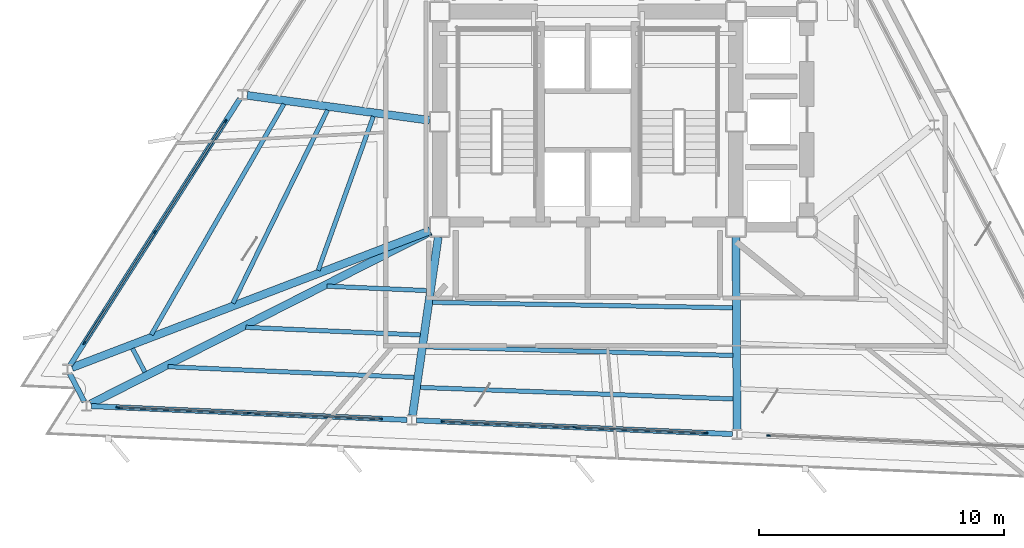
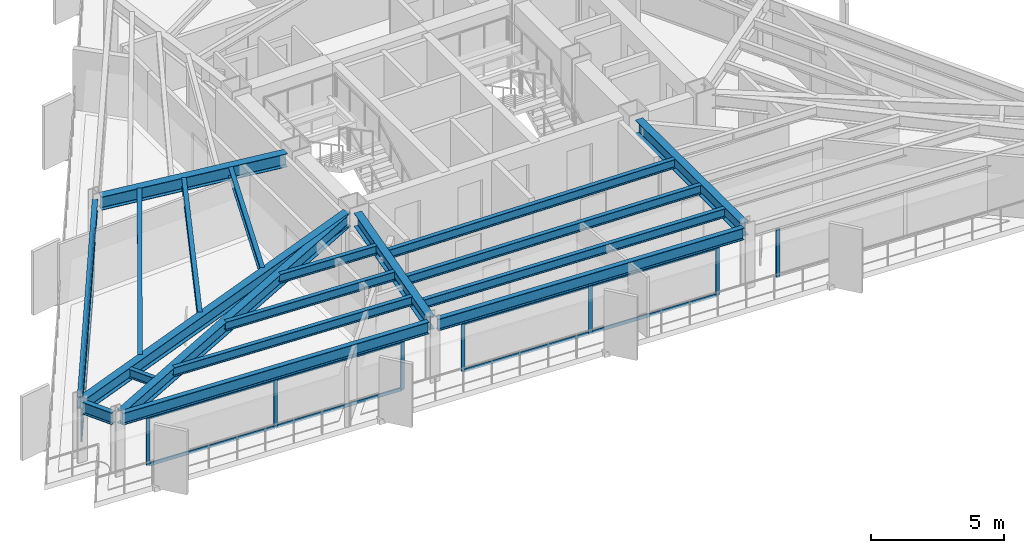
# One storey, part 2 of 12: 22 members, 19 beams, 4 elements without a shape of their own.
"""IFC4 building model written with IfcOpenShell, lengths in metres."""

from ifc_helpers import new_model, si_unit, direction, frame, origin, origin_2d, place, context, subcontext, project, spatial, rectangle, i_section, extrude, material, layer, layer_set, material_profile, profile_set, type_object, element, aggregate, save


model = new_model("IFC4")

# Units and contexts
model_context = context("Model", 3, precision=1e-05, world=origin(), true_north=direction((0.0, 1.0)))
body_context = subcontext(model_context, "Body", "Model", "MODEL_VIEW")
ifc_project = project(units=[si_unit("LENGTHUNIT", "METRE"), si_unit("AREAUNIT", "SQUARE_METRE"), si_unit("VOLUMEUNIT", "CUBIC_METRE"), si_unit("PLANEANGLEUNIT", "RADIAN"), si_unit("MASSUNIT", "GRAM", prefix="KILO")], contexts=[model_context])

# Site, building, storey
site_placement = place(None, origin())
site = spatial("IfcSite", under=ifc_project, at=site_placement, CompositionType="ELEMENT")
building_placement = place(site_placement, origin())
building = spatial("IfcBuilding", under=site, at=building_placement, Name="Rocaltana Carrier Exchange", CompositionType="ELEMENT")
storey_placement = place(building_placement, frame((0.0, 0.0, 132.0)))
storey = spatial("IfcBuildingStorey", under=building, at=storey_placement, Name="L41", CompositionType="ELEMENT", Elevation=132.0)

# Curtain wall, members
ifc_material_1 = material(Name="Aluminium 6063-T6", Category="aluminium")
ifc_layer = layer(ifc_material_1, 0.14990234375)
ifc_layer_set = layer_set([ifc_layer], Name="Aluminium 6063-T6")
curtain_wall_type = type_object("IfcCurtainWallType", Name="Mid-Tower Unitised Curtain Wall CW-03", PredefinedType="NOTDEFINED", material=ifc_layer_set)
curtain_wall_1_placement = place(storey_placement, origin())
curtain_wall_1 = element("IfcCurtainWall", 1, at=curtain_wall_1_placement, inside=storey, type_object=curtain_wall_type, Name="L41 CW-03 Run CW-L41-F2S3", PredefinedType="NOTDEFINED")
ifc_material_2 = material(Name="Aluminium 6063-T6", Category="aluminium")
ifc_material_profile_1 = material_profile(ifc_material_2, rectangle(XDim=0.06005859375, YDim=0.14990234375, at=origin_2d()), Name="AL-60X150")
ifc_profile_set_1 = profile_set([ifc_material_profile_1], Name="Aluminium 6063-T6")
member_type_1 = type_object("IfcMemberType", Name="CW-03 Mullion AL-60X150", PredefinedType="MULLION", material=ifc_profile_set_1)
member_1_placement = place(storey_placement, frame((-14.79541015625, 0.023193359375, 0.0), z_axis=(0.0, 0.0, 1.0), x_axis=(0.843390685726, -0.537300801443, 0.0)))
member_1 = element("IfcMember", 2, at=member_1_placement, type_object=member_type_1, Name="CW-03 mullion 1", PredefinedType="MULLION", context=body_context, shape_type="SweptSolid", body=[
    extrude(rectangle(XDim=0.06005859375, YDim=0.14990234375, at=origin_2d()), origin(), (0.0, 0.0, 1.0), 2.218017578125),
])
member_2_placement = place(storey_placement, frame((-17.680908203125, -4.505859375, 0.0), z_axis=(0.0, 0.0, 1.0), x_axis=(0.843390685726, -0.537300801443, 0.0)))
member_2 = element("IfcMember", 3, at=member_2_placement, type_object=member_type_1, Name="CW-03 mullion 2", PredefinedType="MULLION", context=body_context, shape_type="SweptSolid", body=[
    extrude(rectangle(XDim=0.06005859375, YDim=0.14990234375, at=origin_2d()), origin(), (0.0, 0.0, 1.0), 2.218017578125),
])
member_3_placement = place(storey_placement, frame((-20.566162109375, -9.034912109375, 0.0), z_axis=(0.0, 0.0, 1.0), x_axis=(0.843390685726, -0.537300801443, 0.0)))
member_3 = element("IfcMember", 4, at=member_3_placement, type_object=member_type_1, Name="CW-03 mullion 3", PredefinedType="MULLION", context=body_context, shape_type="SweptSolid", body=[
    extrude(rectangle(XDim=0.06005859375, YDim=0.14990234375, at=origin_2d()), origin(), (0.0, 0.0, 1.0), 2.218017578125),
])

curtain_wall_2_placement = place(storey_placement, origin())
curtain_wall_2 = element("IfcCurtainWall", 5, at=curtain_wall_2_placement, inside=storey, type_object=curtain_wall_type, Name="L41 CW-03 Run CW-L41-F3S1", PredefinedType="NOTDEFINED")
member_4_placement = place(storey_placement, frame((-19.197021484375, -11.66455078125, 0.0), z_axis=(0.0, 0.0, 1.0), x_axis=(0.043629290456, 0.999047789154, 0.0)))
member_4 = element("IfcMember", 6, at=member_4_placement, type_object=member_type_1, Name="CW-03 mullion 1", PredefinedType="MULLION", context=body_context, shape_type="SweptSolid", body=[
    extrude(rectangle(XDim=0.06005859375, YDim=0.14990234375, at=origin_2d()), origin(), (0.0, 0.0, 1.0), 2.218017578125),
])
member_5_placement = place(storey_placement, frame((-13.832275390625, -11.89892578125, 0.0), z_axis=(0.0, 0.0, 1.0), x_axis=(0.043629290456, 0.999047789154, 0.0)))
member_5 = element("IfcMember", 7, at=member_5_placement, type_object=member_type_1, Name="CW-03 mullion 2", PredefinedType="MULLION", context=body_context, shape_type="SweptSolid", body=[
    extrude(rectangle(XDim=0.06005859375, YDim=0.14990234375, at=origin_2d()), origin(), (0.0, 0.0, 1.0), 2.218017578125),
])
member_6_placement = place(storey_placement, frame((-8.46728515625, -12.13330078125, 0.0), z_axis=(0.0, 0.0, 1.0), x_axis=(0.043629290456, 0.999047789154, 0.0)))
member_6 = element("IfcMember", 8, at=member_6_placement, type_object=member_type_1, Name="CW-03 mullion 3", PredefinedType="MULLION", context=body_context, shape_type="SweptSolid", body=[
    extrude(rectangle(XDim=0.06005859375, YDim=0.14990234375, at=origin_2d()), origin(), (0.0, 0.0, 1.0), 2.218017578125),
])

curtain_wall_3_placement = place(storey_placement, origin())
curtain_wall_3 = element("IfcCurtainWall", 9, at=curtain_wall_3_placement, inside=storey, type_object=curtain_wall_type, Name="L41 CW-03 Run CW-L41-F3S2", PredefinedType="NOTDEFINED")
member_7_placement = place(storey_placement, frame((-5.90966796875, -12.244873046875, 0.0), z_axis=(0.0, 0.0, 1.0), x_axis=(0.043620452398, 0.999048175081, 0.0)))
member_7 = element("IfcMember", 10, at=member_7_placement, type_object=member_type_1, Name="CW-03 mullion 1", PredefinedType="MULLION", context=body_context, shape_type="SweptSolid", body=[
    extrude(rectangle(XDim=0.06005859375, YDim=0.14990234375, at=origin_2d()), origin(), (0.0, 0.0, 1.0), 2.218017578125),
])
member_8_placement = place(storey_placement, frame((-0.544921875, -12.47900390625, 0.0), z_axis=(0.0, 0.0, 1.0), x_axis=(0.043620452398, 0.999048175081, 0.0)))
member_8 = element("IfcMember", 11, at=member_8_placement, type_object=member_type_1, Name="CW-03 mullion 2", PredefinedType="MULLION", context=body_context, shape_type="SweptSolid", body=[
    extrude(rectangle(XDim=0.06005859375, YDim=0.14990234375, at=origin_2d()), origin(), (0.0, 0.0, 1.0), 2.218017578125),
])
member_9_placement = place(storey_placement, frame((4.820068359375, -12.71337890625, 0.0), z_axis=(0.0, 0.0, 1.0), x_axis=(0.043620452398, 0.999048175081, 0.0)))
member_9 = element("IfcMember", 12, at=member_9_placement, type_object=member_type_1, Name="CW-03 mullion 3", PredefinedType="MULLION", context=body_context, shape_type="SweptSolid", body=[
    extrude(rectangle(XDim=0.06005859375, YDim=0.14990234375, at=origin_2d()), origin(), (0.0, 0.0, 1.0), 2.218017578125),
])

# Curtain wall, member
curtain_wall_4_placement = place(storey_placement, origin())
curtain_wall_4 = element("IfcCurtainWall", 13, at=curtain_wall_4_placement, inside=storey, type_object=curtain_wall_type, Name="L41 CW-03 Run CW-L41-F3S3", PredefinedType="NOTDEFINED")
member_10_placement = place(storey_placement, frame((7.377685546875, -12.824951171875, 0.0), z_axis=(0.0, 0.0, 1.0), x_axis=(0.043629290456, 0.999047789154, 0.0)))
member_10 = element("IfcMember", 14, at=member_10_placement, type_object=member_type_1, Name="CW-03 mullion 1", PredefinedType="MULLION", context=body_context, shape_type="SweptSolid", body=[
    extrude(rectangle(XDim=0.06005859375, YDim=0.14990234375, at=origin_2d()), origin(), (0.0, 0.0, 1.0), 2.218017578125),
])
aggregate(curtain_wall_4, [member_10])

# Member
ifc_material_3 = material(Name="Aluminium 6063-T6", Category="aluminium")
ifc_material_profile_2 = material_profile(ifc_material_3, rectangle(XDim=0.06005859375, YDim=0.14990234375, at=origin_2d()), Name="AL-60X150")
ifc_profile_set_2 = profile_set([ifc_material_profile_2], Name="Aluminium 6063-T6")
member_type_2 = type_object("IfcMemberType", Name="CW-03 Transom AL-60X150", PredefinedType="USERDEFINED", material=ifc_profile_set_2)
member_11_placement = place(storey_placement, frame((-14.8115234375, -0.001953125, 0.030029296875), z_axis=(-0.537318678484, -0.843379296493, 0.0), x_axis=(0.843379296493, -0.537318678484, 0.0)))
member_11 = element("IfcMember", 15, at=member_11_placement, type_object=member_type_2, Name="CW-03 transom 1.1", ObjectType="TRANSOM", PredefinedType="USERDEFINED", context=body_context, shape_type="SweptSolid", body=[
    extrude(rectangle(XDim=0.06005859375, YDim=0.14990234375, at=origin_2d()), origin(), (0.0, 0.0, 1.0), 5.310302734375),
])

member_12_placement = place(storey_placement, frame((-14.8115234375, -0.001953125, 2.18798828125), z_axis=(-0.537318678484, -0.843379296493, 0.0), x_axis=(0.843379296493, -0.537318678484, 0.0)))
member_12 = element("IfcMember", 16, at=member_12_placement, type_object=member_type_2, Name="CW-03 transom 1.2", ObjectType="TRANSOM", PredefinedType="USERDEFINED", context=body_context, shape_type="SweptSolid", body=[
    extrude(rectangle(XDim=0.06005859375, YDim=0.14990234375, at=origin_2d()), origin(), (0.0, 0.0, 1.0), 5.310302734375),
])

member_13_placement = place(storey_placement, frame((-17.697021484375, -4.531005859375, 0.030029296875), z_axis=(-0.537285975238, -0.843400130906, 0.0), x_axis=(0.843400130906, -0.537285975238, 0.0)))
member_13 = element("IfcMember", 17, at=member_13_placement, type_object=member_type_2, Name="CW-03 transom 2.1", ObjectType="TRANSOM", PredefinedType="USERDEFINED", context=body_context, shape_type="SweptSolid", body=[
    extrude(rectangle(XDim=0.06005859375, YDim=0.14990234375, at=origin_2d()), origin(), (0.0, 0.0, 1.0), 5.31005859375),
])

member_14_placement = place(storey_placement, frame((-17.697021484375, -4.531005859375, 2.18798828125), z_axis=(-0.537285975238, -0.843400130906, 0.0), x_axis=(0.843400130906, -0.537285975238, 0.0)))
member_14 = element("IfcMember", 18, at=member_14_placement, type_object=member_type_2, Name="CW-03 transom 2.2", ObjectType="TRANSOM", PredefinedType="USERDEFINED", context=body_context, shape_type="SweptSolid", body=[
    extrude(rectangle(XDim=0.06005859375, YDim=0.14990234375, at=origin_2d()), origin(), (0.0, 0.0, 1.0), 5.31005859375),
])

aggregate(curtain_wall_1, [member_1, member_2, member_3, member_11, member_12, member_13, member_14])

member_15_placement = place(storey_placement, frame((-19.167236328125, -11.666015625, 0.030029296875), z_axis=(0.999047725225, -0.043630754314, 0.0), x_axis=(0.043630754314, 0.999047725225, 0.0)))
member_15 = element("IfcMember", 19, at=member_15_placement, type_object=member_type_2, Name="CW-03 transom 1.1", ObjectType="TRANSOM", PredefinedType="USERDEFINED", context=body_context, shape_type="SweptSolid", body=[
    extrude(rectangle(XDim=0.06005859375, YDim=0.14990234375, at=origin_2d()), origin(), (0.0, 0.0, 1.0), 5.310302734375),
])

member_16_placement = place(storey_placement, frame((-19.167236328125, -11.666015625, 2.18798828125), z_axis=(0.999047725225, -0.043630754314, 0.0), x_axis=(0.043630754314, 0.999047725225, 0.0)))
member_16 = element("IfcMember", 20, at=member_16_placement, type_object=member_type_2, Name="CW-03 transom 1.2", ObjectType="TRANSOM", PredefinedType="USERDEFINED", context=body_context, shape_type="SweptSolid", body=[
    extrude(rectangle(XDim=0.06005859375, YDim=0.14990234375, at=origin_2d()), origin(), (0.0, 0.0, 1.0), 5.310302734375),
])

member_17_placement = place(storey_placement, frame((-13.80224609375, -11.900146484375, 0.030029296875), z_axis=(0.999047637698, -0.043632758442, 0.0), x_axis=(0.043632758442, 0.999047637698, 0.0)))
member_17 = element("IfcMember", 21, at=member_17_placement, type_object=member_type_2, Name="CW-03 transom 2.1", ObjectType="TRANSOM", PredefinedType="USERDEFINED", context=body_context, shape_type="SweptSolid", body=[
    extrude(rectangle(XDim=0.06005859375, YDim=0.14990234375, at=origin_2d()), origin(), (0.0, 0.0, 1.0), 5.31005859375),
])

member_18_placement = place(storey_placement, frame((-13.80224609375, -11.900146484375, 2.18798828125), z_axis=(0.999047637698, -0.043632758442, 0.0), x_axis=(0.043632758442, 0.999047637698, 0.0)))
member_18 = element("IfcMember", 22, at=member_18_placement, type_object=member_type_2, Name="CW-03 transom 2.2", ObjectType="TRANSOM", PredefinedType="USERDEFINED", context=body_context, shape_type="SweptSolid", body=[
    extrude(rectangle(XDim=0.06005859375, YDim=0.14990234375, at=origin_2d()), origin(), (0.0, 0.0, 1.0), 5.31005859375),
])

aggregate(curtain_wall_2, [member_4, member_5, member_6, member_15, member_16, member_17, member_18])

member_19_placement = place(storey_placement, frame((-5.879638671875, -12.24609375, 0.030029296875), z_axis=(0.999047637698, -0.043632758442, 0.0), x_axis=(0.043632758442, 0.999047637698, 0.0)))
member_19 = element("IfcMember", 23, at=member_19_placement, type_object=member_type_2, Name="CW-03 transom 1.1", ObjectType="TRANSOM", PredefinedType="USERDEFINED", context=body_context, shape_type="SweptSolid", body=[
    extrude(rectangle(XDim=0.06005859375, YDim=0.14990234375, at=origin_2d()), origin(), (0.0, 0.0, 1.0), 5.31005859375),
])

member_20_placement = place(storey_placement, frame((-5.879638671875, -12.24609375, 2.18798828125), z_axis=(0.999047637698, -0.043632758442, 0.0), x_axis=(0.043632758442, 0.999047637698, 0.0)))
member_20 = element("IfcMember", 24, at=member_20_placement, type_object=member_type_2, Name="CW-03 transom 1.2", ObjectType="TRANSOM", PredefinedType="USERDEFINED", context=body_context, shape_type="SweptSolid", body=[
    extrude(rectangle(XDim=0.06005859375, YDim=0.14990234375, at=origin_2d()), origin(), (0.0, 0.0, 1.0), 5.31005859375),
])

member_21_placement = place(storey_placement, frame((-0.514892578125, -12.48046875, 0.030029296875), z_axis=(0.999049640868, -0.04358686822, 0.0), x_axis=(0.04358686822, 0.999049640868, 0.0)))
member_21 = element("IfcMember", 25, at=member_21_placement, type_object=member_type_2, Name="CW-03 transom 2.1", ObjectType="TRANSOM", PredefinedType="USERDEFINED", context=body_context, shape_type="SweptSolid", body=[
    extrude(rectangle(XDim=0.06005859375, YDim=0.14990234375, at=origin_2d()), origin(), (0.0, 0.0, 1.0), 5.31005859375),
])

member_22_placement = place(storey_placement, frame((-0.514892578125, -12.48046875, 2.18798828125), z_axis=(0.999049640868, -0.04358686822, 0.0), x_axis=(0.04358686822, 0.999049640868, 0.0)))
member_22 = element("IfcMember", 26, at=member_22_placement, type_object=member_type_2, Name="CW-03 transom 2.2", ObjectType="TRANSOM", PredefinedType="USERDEFINED", context=body_context, shape_type="SweptSolid", body=[
    extrude(rectangle(XDim=0.06005859375, YDim=0.14990234375, at=origin_2d()), origin(), (0.0, 0.0, 1.0), 5.31005859375),
])

aggregate(curtain_wall_3, [member_7, member_8, member_9, member_19, member_20, member_21, member_22])

# Beams
ifc_material_4 = material(Name="Steel S355", Category="steel")
ifc_material_profile_3 = material_profile(ifc_material_4, i_section(OverallWidth=0.179931640625, OverallDepth=0.4130859375, WebThickness=0.009765625, FlangeThickness=0.01611328125, FilletRadius=0.012939453125, at=origin_2d()), Name="W16X50")
ifc_profile_set_3 = profile_set([ifc_material_profile_3], Name="Steel S355")
beam_type_1 = type_object("IfcBeamType", Name="Floor Joist W16X50", PredefinedType="JOIST", material=ifc_profile_set_3)
beam_1_placement = place(storey_placement, frame((-8.76171875, 0.217041015625, 2.58154296875), z_axis=(-0.33724376494, -0.941417358566, 0.0), x_axis=(0.941417358566, -0.33724376494, 0.0)))
element("IfcBeam", 27, at=beam_1_placement, inside=storey, type_object=beam_type_1, Name="FJ-L41-07-1", PredefinedType="JOIST", context=body_context, shape_type="SweptSolid", body=[
    extrude(i_section(OverallWidth=0.179931640625, OverallDepth=0.4130859375, WebThickness=0.009765625, FlangeThickness=0.01611328125, FilletRadius=0.012939453125, at=origin_2d()), origin(), (0.0, 0.0, 1.0), 6.680419921875),
])
beam_2_placement = place(storey_placement, frame((-10.631103515625, 0.4775390625, 2.58154296875), z_axis=(-0.439708785258, -0.898140403371, 0.0), x_axis=(0.898140403371, -0.439708785258, 0.0)))
element("IfcBeam", 28, at=beam_2_placement, inside=storey, type_object=beam_type_1, Name="FJ-L41-07-2", PredefinedType="JOIST", context=body_context, shape_type="SweptSolid", body=[
    extrude(i_section(OverallWidth=0.179931640625, OverallDepth=0.4130859375, WebThickness=0.009765625, FlangeThickness=0.01611328125, FilletRadius=0.012939453125, at=origin_2d()), origin(), (0.0, 0.0, 1.0), 8.788818359375),
])
beam_3_placement = place(storey_placement, frame((-12.412841796875, 0.724853515625, 2.58154296875), z_axis=(-0.498415428492, -0.866938325742, 0.0), x_axis=(0.866938325742, -0.498415428492, 0.0)))
element("IfcBeam", 29, at=beam_3_placement, inside=storey, type_object=beam_type_1, Name="FJ-L41-07-3", PredefinedType="JOIST", context=body_context, shape_type="SweptSolid", body=[
    extrude(i_section(OverallWidth=0.179931640625, OverallDepth=0.4130859375, WebThickness=0.009765625, FlangeThickness=0.01611328125, FilletRadius=0.012939453125, at=origin_2d()), origin(), (0.0, 0.0, 1.0), 10.871337890625),
])
beam_4_placement = place(storey_placement, frame((-18.59716796875, -9.26416015625, 2.58154296875), z_axis=(0.461805518623, -0.886981207788, 0.0), x_axis=(0.886981207788, 0.461805518623, 0.0)))
element("IfcBeam", 30, at=beam_4_placement, inside=storey, type_object=beam_type_1, Name="FJ-L41-08-3", PredefinedType="JOIST", context=body_context, shape_type="SweptSolid", body=[
    extrude(i_section(OverallWidth=0.179931640625, OverallDepth=0.4130859375, WebThickness=0.009765625, FlangeThickness=0.01611328125, FilletRadius=0.012939453125, at=origin_2d()), origin(), (0.0, 0.0, 1.0), 1.08642578125),
])
beam_5_placement = place(storey_placement, frame((-10.65478515625, -6.71875, 2.58154296875), z_axis=(0.999049367243, -0.043593139496, 0.0), x_axis=(0.043593139496, 0.999049367243, 0.0)))
element("IfcBeam", 31, at=beam_5_placement, inside=storey, type_object=beam_type_1, Name="FJ-L41-09-1", PredefinedType="JOIST", context=body_context, shape_type="SweptSolid", body=[
    extrude(i_section(OverallWidth=0.179931640625, OverallDepth=0.4130859375, WebThickness=0.009765625, FlangeThickness=0.01611328125, FilletRadius=0.012939453125, at=origin_2d()), origin(), (0.0, 0.0, 1.0), 4.0771484375),
])
beam_6_placement = place(storey_placement, frame((-13.97265625, -8.399658203125, 2.58154296875), z_axis=(0.999048136887, -0.043621327164, 0.0), x_axis=(0.043621327164, 0.999048136887, 0.0)))
element("IfcBeam", 32, at=beam_6_placement, inside=storey, type_object=beam_type_1, Name="FJ-L41-09-2", PredefinedType="JOIST", context=body_context, shape_type="SweptSolid", body=[
    extrude(i_section(OverallWidth=0.179931640625, OverallDepth=0.4130859375, WebThickness=0.009765625, FlangeThickness=0.01611328125, FilletRadius=0.012939453125, at=origin_2d()), origin(), (0.0, 0.0, 1.0), 7.135986328125),
])
beam_7_placement = place(storey_placement, frame((-17.146484375, -10.0078125, 2.58154296875), z_axis=(0.999049003147, -0.043601482906, 0.0), x_axis=(0.043601482906, 0.999049003147, 0.0)))
element("IfcBeam", 33, at=beam_7_placement, inside=storey, type_object=beam_type_1, Name="FJ-L41-09-3", PredefinedType="JOIST", context=body_context, shape_type="SweptSolid", body=[
    extrude(i_section(OverallWidth=0.179931640625, OverallDepth=0.4130859375, WebThickness=0.009765625, FlangeThickness=0.01611328125, FilletRadius=0.012939453125, at=origin_2d()), origin(), (0.0, 0.0, 1.0), 10.06201171875),
])
beam_8_placement = place(storey_placement, frame((-6.337890625, -7.37939453125, 2.58154296875), z_axis=(0.999837766755, -0.018012222821, 0.0), x_axis=(0.018012222821, 0.999837766755, 0.0)))
element("IfcBeam", 34, at=beam_8_placement, inside=storey, type_object=beam_type_1, Name="FJ-L41-10-1", PredefinedType="JOIST", context=body_context, shape_type="SweptSolid", body=[
    extrude(i_section(OverallWidth=0.179931640625, OverallDepth=0.4130859375, WebThickness=0.009765625, FlangeThickness=0.01611328125, FilletRadius=0.012939453125, at=origin_2d()), origin(), (0.0, 0.0, 1.0), 12.2529296875),
])
beam_9_placement = place(storey_placement, frame((-6.599853515625, -9.195556640625, 2.58154296875), z_axis=(0.999607887899, -0.028001258015, 0.0), x_axis=(0.028001258015, 0.999607887899, 0.0)))
element("IfcBeam", 35, at=beam_9_placement, inside=storey, type_object=beam_type_1, Name="FJ-L41-10-2", PredefinedType="JOIST", context=body_context, shape_type="SweptSolid", body=[
    extrude(i_section(OverallWidth=0.179931640625, OverallDepth=0.4130859375, WebThickness=0.009765625, FlangeThickness=0.01611328125, FilletRadius=0.012939453125, at=origin_2d()), origin(), (0.0, 0.0, 1.0), 12.529052734375),
])
beam_10_placement = place(storey_placement, frame((-6.839111328125, -10.853515625, 2.58154296875), z_axis=(0.999323856685, -0.036767233503, 0.0), x_axis=(0.036767233503, 0.999323856685, 0.0)))
element("IfcBeam", 36, at=beam_10_placement, inside=storey, type_object=beam_type_1, Name="FJ-L41-10-3", PredefinedType="JOIST", context=body_context, shape_type="SweptSolid", body=[
    extrude(i_section(OverallWidth=0.179931640625, OverallDepth=0.4130859375, WebThickness=0.009765625, FlangeThickness=0.01611328125, FilletRadius=0.012939453125, at=origin_2d()), origin(), (0.0, 0.0, 1.0), 12.7822265625),
])
ifc_material_5 = material(Name="Steel S355", Category="steel")
ifc_material_profile_4 = material_profile(ifc_material_5, i_section(OverallWidth=0.323974609375, OverallDepth=0.611083984375, WebThickness=0.0126953125, FlangeThickness=0.01904296875, FilletRadius=0.01611328125, at=origin_2d()), Name="W24X104")
ifc_profile_set_4 = profile_set([ifc_material_profile_4], Name="Steel S355")
beam_type_2 = type_object("IfcBeamType", Name="Radial Girder W24X104", PredefinedType="BEAM", material=ifc_profile_set_4)
beam_11_placement = place(storey_placement, frame((-6.463134765625, 0.056396484375, 2.482421875), z_axis=(-0.99076030622, 0.13562453915, 0.0), x_axis=(-0.13562453915, -0.99076030622, 0.0)))
element("IfcBeam", 37, at=beam_11_placement, inside=storey, type_object=beam_type_2, Name="RG-L41-07", PredefinedType="BEAM", context=body_context, shape_type="SweptSolid", body=[
    extrude(i_section(OverallWidth=0.323974609375, OverallDepth=0.611083984375, WebThickness=0.0126953125, FlangeThickness=0.01904296875, FilletRadius=0.01611328125, at=origin_2d()), origin(), (0.0, 0.0, 1.0), 7.52099609375),
])
beam_12_placement = place(storey_placement, frame((-6.439453125, -4.448974609375, 2.482421875), z_axis=(-0.934030732637, -0.357192651784, 0.0), x_axis=(0.357192651784, -0.934030732637, 0.0)))
element("IfcBeam", 38, at=beam_12_placement, inside=storey, type_object=beam_type_2, Name="RG-L41-08", PredefinedType="BEAM", context=body_context, shape_type="SweptSolid", body=[
    extrude(i_section(OverallWidth=0.323974609375, OverallDepth=0.611083984375, WebThickness=0.0126953125, FlangeThickness=0.01904296875, FilletRadius=0.01611328125, at=origin_2d()), origin(), (0.0, 0.0, 1.0), 15.665771484375),
])
beam_13_placement = place(storey_placement, frame((-6.422119140625, -4.488525390625, 2.482421875), z_axis=(-0.892042186248, -0.451952141221, 0.0), x_axis=(0.451952141221, -0.892042186248, 0.0)))
element("IfcBeam", 39, at=beam_13_placement, inside=storey, type_object=beam_type_2, Name="RG-L41-09", PredefinedType="BEAM", context=body_context, shape_type="SweptSolid", body=[
    extrude(i_section(OverallWidth=0.323974609375, OverallDepth=0.611083984375, WebThickness=0.0126953125, FlangeThickness=0.01904296875, FilletRadius=0.01611328125, at=origin_2d()), origin(), (0.0, 0.0, 1.0), 15.5595703125),
])
beam_14_placement = place(storey_placement, frame((-6.109619140625, -4.712646484375, 2.482421875), z_axis=(-0.142823907608, -0.989748115136, 0.0), x_axis=(0.989748115136, -0.142823907608, 0.0)))
element("IfcBeam", 40, at=beam_14_placement, inside=storey, type_object=beam_type_2, Name="RG-L41-10", PredefinedType="BEAM", context=body_context, shape_type="SweptSolid", body=[
    extrude(i_section(OverallWidth=0.323974609375, OverallDepth=0.611083984375, WebThickness=0.0126953125, FlangeThickness=0.01904296875, FilletRadius=0.01611328125, at=origin_2d()), origin(), (0.0, 0.0, 1.0), 7.35888671875),
])
beam_15_placement = place(storey_placement, frame((6.052490234375, -4.717041015625, 2.482421875), z_axis=(0.0057482815, -0.999983478493, 0.0), x_axis=(0.999983478493, 0.0057482815, 0.0)))
element("IfcBeam", 41, at=beam_15_placement, inside=storey, type_object=beam_type_2, Name="RG-L41-11", PredefinedType="BEAM", context=body_context, shape_type="SweptSolid", body=[
    extrude(i_section(OverallWidth=0.323974609375, OverallDepth=0.611083984375, WebThickness=0.0126953125, FlangeThickness=0.01904296875, FilletRadius=0.01611328125, at=origin_2d()), origin(), (0.0, 0.0, 1.0), 7.857421875),
])
ifc_material_6 = material(Name="Steel S355", Category="steel")
ifc_material_profile_5 = material_profile(ifc_material_6, i_section(OverallWidth=0.2119140625, OverallDepth=0.5439453125, WebThickness=0.01318359375, FlangeThickness=0.021240234375, FilletRadius=0.014892578125, at=origin_2d()), Name="W21X83")
ifc_profile_set_5 = profile_set([ifc_material_profile_5], Name="Steel S355")
beam_type_3 = type_object("IfcBeamType", Name="Spandrel Edge Beam W21X83", PredefinedType="SPANDREL", material=ifc_profile_set_5)
beam_16_placement = place(storey_placement, frame((-14.212646484375, 0.938232421875, 2.51611328125), z_axis=(-0.53730737778, -0.843386496088, 0.0), x_axis=(0.843386496088, -0.53730737778, 0.0)))
element("IfcBeam", 42, at=beam_16_placement, inside=storey, type_object=beam_type_3, Name="SP-L41-07", PredefinedType="SPANDREL", context=body_context, shape_type="SweptSolid", body=[
    extrude(i_section(OverallWidth=0.2119140625, OverallDepth=0.5439453125, WebThickness=0.01318359375, FlangeThickness=0.021240234375, FilletRadius=0.014892578125, at=origin_2d()), origin(), (0.0, 0.0, 1.0), 12.90966796875),
])
beam_17_placement = place(storey_placement, frame((-21.163818359375, -10.287353515625, 2.51611328125), z_axis=(0.461786087102, -0.886991324512, 0.0), x_axis=(0.886991324512, 0.461786087102, 0.0)))
element("IfcBeam", 43, at=beam_17_placement, inside=storey, type_object=beam_type_3, Name="SP-L41-08", PredefinedType="SPANDREL", context=body_context, shape_type="SweptSolid", body=[
    extrude(i_section(OverallWidth=0.2119140625, OverallDepth=0.5439453125, WebThickness=0.01318359375, FlangeThickness=0.021240234375, FilletRadius=0.014892578125, at=origin_2d()), origin(), (0.0, 0.0, 1.0), 1.294677734375),
])
for number, where, z_axis, x_axis, name in (
    (44, (-20.281005859375, -11.6171875, 2.51611328125), (0.999047862202, -0.04362761775, 0.0), (0.04362761775, 0.999047862202, 0.0), "SP-L41-09"),
    (45, (-6.99365234375, -12.197509765625, 2.51611328125), (0.999048686279, -0.043608742747, 0.0), (0.043608742747, 0.999048686279, 0.0), "SP-L41-10"),
):
    element("IfcBeam", number, at=place(storey_placement, frame(where, z_axis=z_axis, x_axis=x_axis)), inside=storey, type_object=beam_type_3, Name=name, PredefinedType="SPANDREL", context=body_context, shape_type="SweptSolid", body=[
        extrude(i_section(OverallWidth=0.2119140625, OverallDepth=0.5439453125, WebThickness=0.01318359375, FlangeThickness=0.021240234375, FilletRadius=0.014892578125, at=origin_2d()), origin(), (0.0, 0.0, 1.0), 12.909912109375),
    ])

save(model, "model.ifc")
